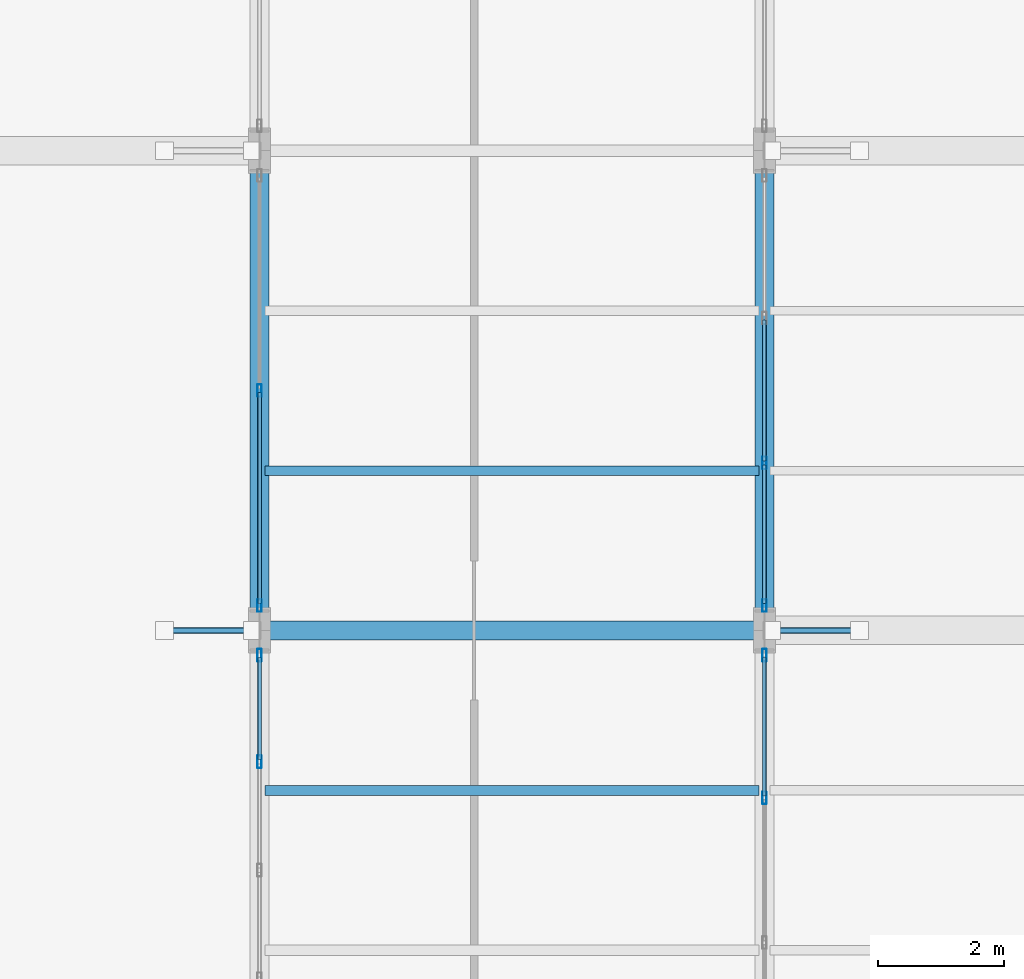
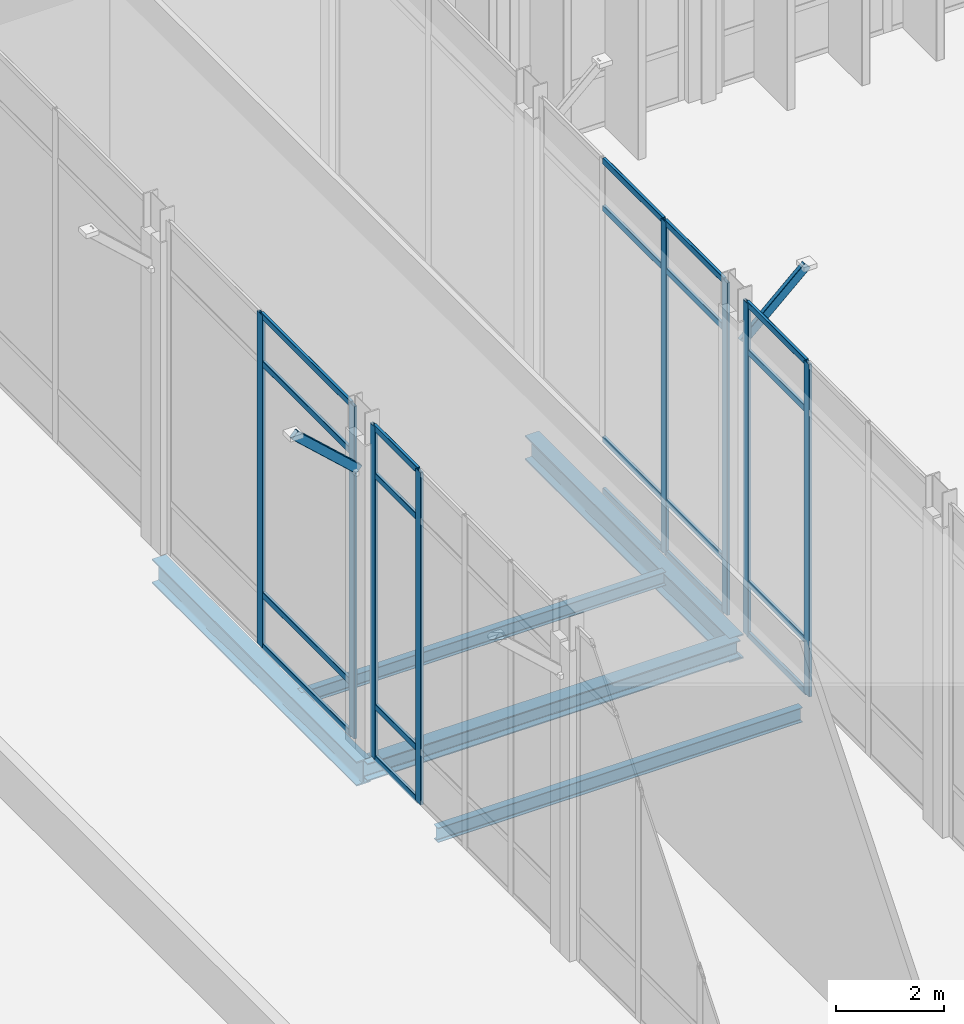
# One storey, part 45 of 176: 30 members, 5 beams, 4 elements without a shape of their own.
"""IFC4 building model written with IfcOpenShell, lengths in metres."""

from ifc_helpers import new_model, si_unit, direction, frame, origin, origin_2d, place, context, subcontext, project, spatial, hollow_rectangle, i_section, extrude, material, layer, layer_set, material_profile, profile_set, type_object, element, aggregate, save


model = new_model("IFC4")

# Units and contexts
model_context = context("Model", 3, precision=1e-05, world=origin(), true_north=direction((0.0, 1.0)))
body_context = subcontext(model_context, "Body", "Model", "MODEL_VIEW")
ifc_project = project(units=[si_unit("LENGTHUNIT", "METRE"), si_unit("AREAUNIT", "SQUARE_METRE"), si_unit("VOLUMEUNIT", "CUBIC_METRE"), si_unit("PLANEANGLEUNIT", "RADIAN"), si_unit("MASSUNIT", "GRAM", prefix="KILO")], contexts=[model_context])

# Site, building, storey
site_placement = place(None, origin())
site = spatial("IfcSite", under=ifc_project, at=site_placement, CompositionType="ELEMENT")
building_placement = place(site_placement, origin())
building = spatial("IfcBuilding", under=site, at=building_placement, Name="Vekula Escarpment Museum", CompositionType="ELEMENT")
storey_placement = place(building_placement, origin())
storey = spatial("IfcBuildingStorey", under=building, at=storey_placement, Name="L01", CompositionType="ELEMENT", Elevation=0.0)

# Beams
ifc_material_1 = material(Name="Steel S355", Category="steel")
ifc_material_profile_1 = material_profile(ifc_material_1, i_section(OverallWidth=0.300048828125, OverallDepth=0.39990234375, WebThickness=0.013427734375, FlangeThickness=0.02392578125, FilletRadius=0.027099609375, at=origin_2d()), Name="HEB 400")
ifc_profile_set_1 = profile_set([ifc_material_profile_1], Name="Steel S355")
beam_type_1 = type_object("IfcBeamType", Name="BM-GIRD-HEB400", PredefinedType="BEAM", material=ifc_profile_set_1)
beam_1_placement = place(storey_placement, frame((94.0, 30.39990234375, -0.5), z_axis=(1.0, 0.0, 0.0), x_axis=(0.0, 1.0, 0.0)))
element("IfcBeam", 1, at=beam_1_placement, inside=storey, type_object=beam_type_1, Name="Beam X L01 0090", PredefinedType="BEAM", context=body_context, shape_type="SweptSolid", body=[
    extrude(i_section(OverallWidth=0.300048828125, OverallDepth=0.39990234375, WebThickness=0.013427734375, FlangeThickness=0.02392578125, FilletRadius=0.027099609375, at=origin_2d()), origin(), (0.0, 0.0, 1.0), 8.0),
])
ifc_material_2 = material(Name="Steel S355", Category="steel")
ifc_material_profile_2 = material_profile(ifc_material_2, i_section(OverallWidth=0.300048828125, OverallDepth=0.550048828125, WebThickness=0.014892578125, FlangeThickness=0.029052734375, FilletRadius=0.027099609375, at=origin_2d()), Name="HEB 550")
ifc_profile_set_2 = profile_set([ifc_material_profile_2], Name="Steel S355")
beam_type_2 = type_object("IfcBeamType", Name="BM-GIRD-HEB550", PredefinedType="BEAM", material=ifc_profile_set_2)
for number, where, z_axis, x_axis, name in (
    (2, (94.0, 30.39990234375, -0.574951171875), (0.0, 1.0, 0.0), (-1.0, 0.0, 0.0), "Beam Y L01 0580"),
    (3, (102.0, 30.39990234375, -0.574951171875), (0.0, 1.0, 0.0), (-1.0, 0.0, 0.0), "Beam Y L01 0598"),
):
    element("IfcBeam", number, at=place(storey_placement, frame(where, z_axis=z_axis, x_axis=x_axis)), inside=storey, type_object=beam_type_2, Name=name, PredefinedType="BEAM", context=body_context, shape_type="SweptSolid", body=[
        extrude(i_section(OverallWidth=0.300048828125, OverallDepth=0.550048828125, WebThickness=0.014892578125, FlangeThickness=0.029052734375, FilletRadius=0.027099609375, at=origin_2d()), origin(), (0.0, 0.0, 1.0), 7.60009765625),
    ])
ifc_material_3 = material(Name="Steel S355", Category="steel")
ifc_material_profile_3 = material_profile(ifc_material_3, i_section(OverallWidth=0.14990234375, OverallDepth=0.300048828125, WebThickness=0.007080078125, FlangeThickness=0.0107421875, FilletRadius=0.014892578125, at=origin_2d()), Name="IPE 300")
ifc_profile_set_3 = profile_set([ifc_material_profile_3], Name="Steel S355")
beam_type_3 = type_object("IfcBeamType", Name="BM-JST-IPE300", PredefinedType="JOIST", material=ifc_profile_set_3)
beam_2_placement = place(storey_placement, frame((94.090087890625, 32.933349609375, -0.449951171875), z_axis=(1.0, 0.0, 0.0), x_axis=(0.0, 1.0, 0.0)))
element("IfcBeam", 4, at=beam_2_placement, inside=storey, type_object=beam_type_3, Name="Secondary Joist L01 0296", PredefinedType="JOIST", context=body_context, shape_type="SweptSolid", body=[
    extrude(i_section(OverallWidth=0.14990234375, OverallDepth=0.300048828125, WebThickness=0.007080078125, FlangeThickness=0.0107421875, FilletRadius=0.014892578125, at=origin_2d()), origin(), (0.0, 0.0, 1.0), 7.81982421875),
])
ifc_material_4 = material(Name="Steel S355", Category="steel")
ifc_material_profile_4 = material_profile(ifc_material_4, i_section(OverallWidth=0.159912109375, OverallDepth=0.330078125, WebThickness=0.007568359375, FlangeThickness=0.011474609375, FilletRadius=0.01806640625, at=origin_2d()), Name="IPE 330")
ifc_profile_set_4 = profile_set([ifc_material_profile_4], Name="Steel S355")
beam_type_4 = type_object("IfcBeamType", Name="BM-JST-IPE330", PredefinedType="JOIST", material=ifc_profile_set_4)
beam_3_placement = place(storey_placement, frame((94.090087890625, 27.86669921875, -0.465087890625), z_axis=(1.0, 0.0, 0.0), x_axis=(0.0, 1.0, 0.0)))
element("IfcBeam", 5, at=beam_3_placement, inside=storey, type_object=beam_type_4, Name="Secondary Joist L01 0295", PredefinedType="JOIST", context=body_context, shape_type="SweptSolid", body=[
    extrude(i_section(OverallWidth=0.159912109375, OverallDepth=0.330078125, WebThickness=0.007568359375, FlangeThickness=0.011474609375, FilletRadius=0.01806640625, at=origin_2d()), origin(), (0.0, 0.0, 1.0), 7.81982421875),
])

# Curtain wall, members
ifc_material_5 = material(Name="Aluminium thermally broken framing", Category="aluminium")
ifc_layer_1 = layer(ifc_material_5, 0.199951171875)
ifc_layer_set_1 = layer_set([ifc_layer_1], Name="Aluminium thermally broken framing")
curtain_wall_type_1 = type_object("IfcCurtainWallType", Name="CW-SYS-04", PredefinedType="NOTDEFINED", material=ifc_layer_set_1)
curtain_wall_1_placement = place(storey_placement, origin())
curtain_wall_1 = element("IfcCurtainWall", 6, at=curtain_wall_1_placement, inside=storey, type_object=curtain_wall_type_1, Name="Curtain Wall CW-L01-004", PredefinedType="NOTDEFINED")
ifc_material_6 = material(Name="Aluminium anodized mullion", Category="aluminium")
ifc_material_profile_5 = material_profile(ifc_material_6, hollow_rectangle(XDim=0.06494140625, YDim=0.199951171875, WallThickness=0.00390625, InnerFilletRadius=0.00390625, OuterFilletRadius=0.008056640625, at=origin_2d()), Name="ALU 200x65x4")
ifc_profile_set_5 = profile_set([ifc_material_profile_5], Name="Aluminium anodized mullion")
member_type_1 = type_object("IfcMemberType", Name="CW-MUL-200", PredefinedType="MULLION", material=ifc_profile_set_5)
member_1_placement = place(storey_placement, frame((102.0, 27.74658203125, 0.0), z_axis=(0.0, 0.0, 1.0), x_axis=(-1.0, 0.0, 0.0)))
member_1 = element("IfcMember", 7, at=member_1_placement, type_object=member_type_1, Name="CW-04 mullion 3", PredefinedType="MULLION", context=body_context, shape_type="SweptSolid", body=[
    extrude(hollow_rectangle(XDim=0.06494140625, YDim=0.199951171875, WallThickness=0.00390625, InnerFilletRadius=0.00390625, OuterFilletRadius=0.008056640625, at=origin_2d()), origin(), (0.0, 0.0, 1.0), 7.5400390625),
])
member_2_placement = place(storey_placement, frame((102.0, 30.007568359375, 0.0), z_axis=(0.0, 0.0, 1.0), x_axis=(-1.0, 0.0, 0.0)))
member_2 = element("IfcMember", 8, at=member_2_placement, type_object=member_type_1, Name="CW-04 mullion 4", PredefinedType="MULLION", context=body_context, shape_type="SweptSolid", body=[
    extrude(hollow_rectangle(XDim=0.06494140625, YDim=0.199951171875, WallThickness=0.00390625, InnerFilletRadius=0.00390625, OuterFilletRadius=0.008056640625, at=origin_2d()), origin(), (0.0, 0.0, 1.0), 7.5400390625),
])

ifc_material_7 = material(Name="Aluminium thermally broken framing", Category="aluminium")
ifc_layer_2 = layer(ifc_material_7, 0.159912109375)
ifc_layer_set_2 = layer_set([ifc_layer_2], Name="Aluminium thermally broken framing")
curtain_wall_type_2 = type_object("IfcCurtainWallType", Name="CW-SYS-05", PredefinedType="NOTDEFINED", material=ifc_layer_set_2)
curtain_wall_2_placement = place(storey_placement, origin())
curtain_wall_2 = element("IfcCurtainWall", 9, at=curtain_wall_2_placement, inside=storey, type_object=curtain_wall_type_2, Name="Curtain Wall CW-L01-005", PredefinedType="NOTDEFINED")
member_3_placement = place(storey_placement, frame((102.0, 30.79248046875, 0.0), z_axis=(0.0, 0.0, 1.0), x_axis=(-1.0, 0.0, 0.0)))
member_3 = element("IfcMember", 10, at=member_3_placement, type_object=member_type_1, Name="CW-05 mullion 1", PredefinedType="MULLION", context=body_context, shape_type="SweptSolid", body=[
    extrude(hollow_rectangle(XDim=0.06494140625, YDim=0.199951171875, WallThickness=0.00390625, InnerFilletRadius=0.00390625, OuterFilletRadius=0.008056640625, at=origin_2d()), origin(), (0.0, 0.0, 1.0), 7.5400390625),
])
member_4_placement = place(storey_placement, frame((102.0, 33.05322265625, 0.0), z_axis=(0.0, 0.0, 1.0), x_axis=(-1.0, 0.0, 0.0)))
member_4 = element("IfcMember", 11, at=member_4_placement, type_object=member_type_1, Name="CW-05 mullion 2", PredefinedType="MULLION", context=body_context, shape_type="SweptSolid", body=[
    extrude(hollow_rectangle(XDim=0.06494140625, YDim=0.199951171875, WallThickness=0.00390625, InnerFilletRadius=0.00390625, OuterFilletRadius=0.008056640625, at=origin_2d()), origin(), (0.0, 0.0, 1.0), 7.5400390625),
])

ifc_material_8 = material(Name="Aluminium thermally broken framing", Category="aluminium")
ifc_layer_3 = layer(ifc_material_8, 0.179931640625)
ifc_layer_set_3 = layer_set([ifc_layer_3], Name="Aluminium thermally broken framing")
curtain_wall_type_3 = type_object("IfcCurtainWallType", Name="CW-SYS-08", PredefinedType="NOTDEFINED", material=ifc_layer_set_3)
curtain_wall_3_placement = place(storey_placement, origin())
curtain_wall_3 = element("IfcCurtainWall", 12, at=curtain_wall_3_placement, inside=storey, type_object=curtain_wall_type_3, Name="Curtain Wall CW-L01-048", PredefinedType="NOTDEFINED")
member_5_placement = place(storey_placement, frame((94.0, 34.199951171875, 0.0), z_axis=(0.0, 0.0, 1.0), x_axis=(1.0, 0.0, 0.0)))
member_5 = element("IfcMember", 13, at=member_5_placement, type_object=member_type_1, Name="CW-08 mullion 2", PredefinedType="MULLION", context=body_context, shape_type="SweptSolid", body=[
    extrude(hollow_rectangle(XDim=0.06494140625, YDim=0.199951171875, WallThickness=0.00390625, InnerFilletRadius=0.00390625, OuterFilletRadius=0.008056640625, at=origin_2d()), origin(), (0.0, 0.0, 1.0), 7.5400390625),
])
member_6_placement = place(storey_placement, frame((94.0, 30.79248046875, 0.0), z_axis=(0.0, 0.0, 1.0), x_axis=(1.0, 0.0, 0.0)))
member_6 = element("IfcMember", 14, at=member_6_placement, type_object=member_type_1, Name="CW-08 mullion 3", PredefinedType="MULLION", context=body_context, shape_type="SweptSolid", body=[
    extrude(hollow_rectangle(XDim=0.06494140625, YDim=0.199951171875, WallThickness=0.00390625, InnerFilletRadius=0.00390625, OuterFilletRadius=0.008056640625, at=origin_2d()), origin(), (0.0, 0.0, 1.0), 7.5400390625),
])

ifc_material_9 = material(Name="Aluminium thermally broken framing", Category="aluminium")
ifc_layer_4 = layer(ifc_material_9, 0.14990234375)
ifc_layer_set_4 = layer_set([ifc_layer_4], Name="Aluminium thermally broken framing")
curtain_wall_type_4 = type_object("IfcCurtainWallType", Name="CW-SYS-09", PredefinedType="NOTDEFINED", material=ifc_layer_set_4)
curtain_wall_4_placement = place(storey_placement, origin())
curtain_wall_4 = element("IfcCurtainWall", 15, at=curtain_wall_4_placement, inside=storey, type_object=curtain_wall_type_4, Name="Curtain Wall CW-L01-049", PredefinedType="NOTDEFINED")
member_7_placement = place(storey_placement, frame((94.0, 30.007568359375, 0.0), z_axis=(0.0, 0.0, 1.0), x_axis=(1.0, 0.0, 0.0)))
member_7 = element("IfcMember", 16, at=member_7_placement, type_object=member_type_1, Name="CW-09 mullion 1", PredefinedType="MULLION", context=body_context, shape_type="SweptSolid", body=[
    extrude(hollow_rectangle(XDim=0.06494140625, YDim=0.199951171875, WallThickness=0.00390625, InnerFilletRadius=0.00390625, OuterFilletRadius=0.008056640625, at=origin_2d()), origin(), (0.0, 0.0, 1.0), 7.5400390625),
])
member_8_placement = place(storey_placement, frame((94.0, 28.320068359375, 0.0), z_axis=(0.0, 0.0, 1.0), x_axis=(1.0, 0.0, 0.0)))
member_8 = element("IfcMember", 17, at=member_8_placement, type_object=member_type_1, Name="CW-09 mullion 2", PredefinedType="MULLION", context=body_context, shape_type="SweptSolid", body=[
    extrude(hollow_rectangle(XDim=0.06494140625, YDim=0.199951171875, WallThickness=0.00390625, InnerFilletRadius=0.00390625, OuterFilletRadius=0.008056640625, at=origin_2d()), origin(), (0.0, 0.0, 1.0), 7.5400390625),
])

# Member
ifc_material_10 = material(Name="Aluminium anodized transom", Category="aluminium")
ifc_material_profile_6 = material_profile(ifc_material_10, hollow_rectangle(XDim=0.06494140625, YDim=0.139892578125, WallThickness=0.00390625, InnerFilletRadius=0.00390625, OuterFilletRadius=0.008056640625, at=origin_2d()), Name="ALU 140x65x4")
ifc_profile_set_6 = profile_set([ifc_material_profile_6], Name="Aluminium anodized transom")
member_type_2 = type_object("IfcMemberType", Name="CW-TRN-140", PredefinedType="USERDEFINED", material=ifc_profile_set_6)
member_9_placement = place(storey_placement, frame((102.0, 27.779052734375, 0.032470703125), z_axis=(0.0, 1.0, 0.0), x_axis=(-1.0, 0.0, 0.0)))
member_9 = element("IfcMember", 18, at=member_9_placement, type_object=member_type_2, Name="CW-04 transom 3.1", ObjectType="TRANSOM", PredefinedType="USERDEFINED", context=body_context, shape_type="SweptSolid", body=[
    extrude(hollow_rectangle(XDim=0.06494140625, YDim=0.139892578125, WallThickness=0.00390625, InnerFilletRadius=0.00390625, OuterFilletRadius=0.008056640625, at=origin_2d()), origin(), (0.0, 0.0, 1.0), 2.196044921875),
])

member_10_placement = place(storey_placement, frame((102.0, 27.779052734375, 1.199951171875), z_axis=(0.0, 1.0, 0.0), x_axis=(-1.0, 0.0, 0.0)))
member_10 = element("IfcMember", 19, at=member_10_placement, type_object=member_type_2, Name="CW-04 transom 3.2", ObjectType="TRANSOM", PredefinedType="USERDEFINED", context=body_context, shape_type="SweptSolid", body=[
    extrude(hollow_rectangle(XDim=0.06494140625, YDim=0.139892578125, WallThickness=0.00390625, InnerFilletRadius=0.00390625, OuterFilletRadius=0.008056640625, at=origin_2d()), origin(), (0.0, 0.0, 1.0), 2.196044921875),
])

member_11_placement = place(storey_placement, frame((102.0, 27.779052734375, 6.43994140625), z_axis=(0.0, 1.0, 0.0), x_axis=(-1.0, 0.0, 0.0)))
member_11 = element("IfcMember", 20, at=member_11_placement, type_object=member_type_2, Name="CW-04 transom 3.3", ObjectType="TRANSOM", PredefinedType="USERDEFINED", context=body_context, shape_type="SweptSolid", body=[
    extrude(hollow_rectangle(XDim=0.06494140625, YDim=0.139892578125, WallThickness=0.00390625, InnerFilletRadius=0.00390625, OuterFilletRadius=0.008056640625, at=origin_2d()), origin(), (0.0, 0.0, 1.0), 2.196044921875),
])

member_12_placement = place(storey_placement, frame((102.0, 27.779052734375, 7.507568359375), z_axis=(0.0, 1.0, 0.0), x_axis=(-1.0, 0.0, 0.0)))
member_12 = element("IfcMember", 21, at=member_12_placement, type_object=member_type_2, Name="CW-04 transom 3.4", ObjectType="TRANSOM", PredefinedType="USERDEFINED", context=body_context, shape_type="SweptSolid", body=[
    extrude(hollow_rectangle(XDim=0.06494140625, YDim=0.139892578125, WallThickness=0.00390625, InnerFilletRadius=0.00390625, OuterFilletRadius=0.008056640625, at=origin_2d()), origin(), (0.0, 0.0, 1.0), 2.196044921875),
])

aggregate(curtain_wall_1, [member_1, member_2, member_9, member_10, member_11, member_12])

member_13_placement = place(storey_placement, frame((102.0, 30.824951171875, 0.032470703125), z_axis=(0.0, 1.0, 0.0), x_axis=(-1.0, 0.0, 0.0)))
member_13 = element("IfcMember", 22, at=member_13_placement, type_object=member_type_2, Name="CW-05 transom 1.1", ObjectType="TRANSOM", PredefinedType="USERDEFINED", context=body_context, shape_type="SweptSolid", body=[
    extrude(hollow_rectangle(XDim=0.06494140625, YDim=0.139892578125, WallThickness=0.00390625, InnerFilletRadius=0.00390625, OuterFilletRadius=0.008056640625, at=origin_2d()), origin(), (0.0, 0.0, 1.0), 2.19580078125),
])

member_14_placement = place(storey_placement, frame((102.0, 30.824951171875, 1.199951171875), z_axis=(0.0, 1.0, 0.0), x_axis=(-1.0, 0.0, 0.0)))
member_14 = element("IfcMember", 23, at=member_14_placement, type_object=member_type_2, Name="CW-05 transom 1.2", ObjectType="TRANSOM", PredefinedType="USERDEFINED", context=body_context, shape_type="SweptSolid", body=[
    extrude(hollow_rectangle(XDim=0.06494140625, YDim=0.139892578125, WallThickness=0.00390625, InnerFilletRadius=0.00390625, OuterFilletRadius=0.008056640625, at=origin_2d()), origin(), (0.0, 0.0, 1.0), 2.19580078125),
])

member_15_placement = place(storey_placement, frame((102.0, 30.824951171875, 6.43994140625), z_axis=(0.0, 1.0, 0.0), x_axis=(-1.0, 0.0, 0.0)))
member_15 = element("IfcMember", 24, at=member_15_placement, type_object=member_type_2, Name="CW-05 transom 1.3", ObjectType="TRANSOM", PredefinedType="USERDEFINED", context=body_context, shape_type="SweptSolid", body=[
    extrude(hollow_rectangle(XDim=0.06494140625, YDim=0.139892578125, WallThickness=0.00390625, InnerFilletRadius=0.00390625, OuterFilletRadius=0.008056640625, at=origin_2d()), origin(), (0.0, 0.0, 1.0), 2.19580078125),
])

member_16_placement = place(storey_placement, frame((102.0, 30.824951171875, 7.507568359375), z_axis=(0.0, 1.0, 0.0), x_axis=(-1.0, 0.0, 0.0)))
member_16 = element("IfcMember", 25, at=member_16_placement, type_object=member_type_2, Name="CW-05 transom 1.4", ObjectType="TRANSOM", PredefinedType="USERDEFINED", context=body_context, shape_type="SweptSolid", body=[
    extrude(hollow_rectangle(XDim=0.06494140625, YDim=0.139892578125, WallThickness=0.00390625, InnerFilletRadius=0.00390625, OuterFilletRadius=0.008056640625, at=origin_2d()), origin(), (0.0, 0.0, 1.0), 2.19580078125),
])

member_17_placement = place(storey_placement, frame((102.0, 33.0859375, 0.032470703125), z_axis=(0.0, 1.0, 0.0), x_axis=(-1.0, 0.0, 0.0)))
member_17 = element("IfcMember", 26, at=member_17_placement, type_object=member_type_2, Name="CW-05 transom 2.1", ObjectType="TRANSOM", PredefinedType="USERDEFINED", context=body_context, shape_type="SweptSolid", body=[
    extrude(hollow_rectangle(XDim=0.06494140625, YDim=0.139892578125, WallThickness=0.00390625, InnerFilletRadius=0.00390625, OuterFilletRadius=0.008056640625, at=origin_2d()), origin(), (0.0, 0.0, 1.0), 2.228271484375),
])

member_18_placement = place(storey_placement, frame((102.0, 33.0859375, 1.199951171875), z_axis=(0.0, 1.0, 0.0), x_axis=(-1.0, 0.0, 0.0)))
member_18 = element("IfcMember", 27, at=member_18_placement, type_object=member_type_2, Name="CW-05 transom 2.2", ObjectType="TRANSOM", PredefinedType="USERDEFINED", context=body_context, shape_type="SweptSolid", body=[
    extrude(hollow_rectangle(XDim=0.06494140625, YDim=0.139892578125, WallThickness=0.00390625, InnerFilletRadius=0.00390625, OuterFilletRadius=0.008056640625, at=origin_2d()), origin(), (0.0, 0.0, 1.0), 2.228271484375),
])

member_19_placement = place(storey_placement, frame((102.0, 33.0859375, 6.43994140625), z_axis=(0.0, 1.0, 0.0), x_axis=(-1.0, 0.0, 0.0)))
member_19 = element("IfcMember", 28, at=member_19_placement, type_object=member_type_2, Name="CW-05 transom 2.3", ObjectType="TRANSOM", PredefinedType="USERDEFINED", context=body_context, shape_type="SweptSolid", body=[
    extrude(hollow_rectangle(XDim=0.06494140625, YDim=0.139892578125, WallThickness=0.00390625, InnerFilletRadius=0.00390625, OuterFilletRadius=0.008056640625, at=origin_2d()), origin(), (0.0, 0.0, 1.0), 2.228271484375),
])

member_20_placement = place(storey_placement, frame((102.0, 33.0859375, 7.507568359375), z_axis=(0.0, 1.0, 0.0), x_axis=(-1.0, 0.0, 0.0)))
member_20 = element("IfcMember", 29, at=member_20_placement, type_object=member_type_2, Name="CW-05 transom 2.4", ObjectType="TRANSOM", PredefinedType="USERDEFINED", context=body_context, shape_type="SweptSolid", body=[
    extrude(hollow_rectangle(XDim=0.06494140625, YDim=0.139892578125, WallThickness=0.00390625, InnerFilletRadius=0.00390625, OuterFilletRadius=0.008056640625, at=origin_2d()), origin(), (0.0, 0.0, 1.0), 2.228271484375),
])

aggregate(curtain_wall_2, [member_3, member_4, member_13, member_14, member_15, member_16, member_17, member_18, member_19, member_20])

member_21_placement = place(storey_placement, frame((94.0, 34.16748046875, 0.032470703125), z_axis=(0.0, -1.0, 0.0), x_axis=(1.0, 0.0, 0.0)))
member_21 = element("IfcMember", 30, at=member_21_placement, type_object=member_type_2, Name="CW-08 transom 2.1", ObjectType="TRANSOM", PredefinedType="USERDEFINED", context=body_context, shape_type="SweptSolid", body=[
    extrude(hollow_rectangle(XDim=0.06494140625, YDim=0.139892578125, WallThickness=0.00390625, InnerFilletRadius=0.00390625, OuterFilletRadius=0.008056640625, at=origin_2d()), origin(), (0.0, 0.0, 1.0), 3.342529296875),
])

member_22_placement = place(storey_placement, frame((94.0, 34.16748046875, 1.199951171875), z_axis=(0.0, -1.0, 0.0), x_axis=(1.0, 0.0, 0.0)))
member_22 = element("IfcMember", 31, at=member_22_placement, type_object=member_type_2, Name="CW-08 transom 2.2", ObjectType="TRANSOM", PredefinedType="USERDEFINED", context=body_context, shape_type="SweptSolid", body=[
    extrude(hollow_rectangle(XDim=0.06494140625, YDim=0.139892578125, WallThickness=0.00390625, InnerFilletRadius=0.00390625, OuterFilletRadius=0.008056640625, at=origin_2d()), origin(), (0.0, 0.0, 1.0), 3.342529296875),
])

member_23_placement = place(storey_placement, frame((94.0, 34.16748046875, 6.43994140625), z_axis=(0.0, -1.0, 0.0), x_axis=(1.0, 0.0, 0.0)))
member_23 = element("IfcMember", 32, at=member_23_placement, type_object=member_type_2, Name="CW-08 transom 2.3", ObjectType="TRANSOM", PredefinedType="USERDEFINED", context=body_context, shape_type="SweptSolid", body=[
    extrude(hollow_rectangle(XDim=0.06494140625, YDim=0.139892578125, WallThickness=0.00390625, InnerFilletRadius=0.00390625, OuterFilletRadius=0.008056640625, at=origin_2d()), origin(), (0.0, 0.0, 1.0), 3.342529296875),
])

member_24_placement = place(storey_placement, frame((94.0, 34.16748046875, 7.507568359375), z_axis=(0.0, -1.0, 0.0), x_axis=(1.0, 0.0, 0.0)))
member_24 = element("IfcMember", 33, at=member_24_placement, type_object=member_type_2, Name="CW-08 transom 2.4", ObjectType="TRANSOM", PredefinedType="USERDEFINED", context=body_context, shape_type="SweptSolid", body=[
    extrude(hollow_rectangle(XDim=0.06494140625, YDim=0.139892578125, WallThickness=0.00390625, InnerFilletRadius=0.00390625, OuterFilletRadius=0.008056640625, at=origin_2d()), origin(), (0.0, 0.0, 1.0), 3.342529296875),
])

aggregate(curtain_wall_3, [member_5, member_6, member_21, member_22, member_23, member_24])

member_25_placement = place(storey_placement, frame((94.0, 29.97509765625, 0.032470703125), z_axis=(0.0, -1.0, 0.0), x_axis=(1.0, 0.0, 0.0)))
member_25 = element("IfcMember", 34, at=member_25_placement, type_object=member_type_2, Name="CW-09 transom 1.1", ObjectType="TRANSOM", PredefinedType="USERDEFINED", context=body_context, shape_type="SweptSolid", body=[
    extrude(hollow_rectangle(XDim=0.06494140625, YDim=0.139892578125, WallThickness=0.00390625, InnerFilletRadius=0.00390625, OuterFilletRadius=0.008056640625, at=origin_2d()), origin(), (0.0, 0.0, 1.0), 1.62255859375),
])

member_26_placement = place(storey_placement, frame((94.0, 29.97509765625, 1.199951171875), z_axis=(0.0, -1.0, 0.0), x_axis=(1.0, 0.0, 0.0)))
member_26 = element("IfcMember", 35, at=member_26_placement, type_object=member_type_2, Name="CW-09 transom 1.2", ObjectType="TRANSOM", PredefinedType="USERDEFINED", context=body_context, shape_type="SweptSolid", body=[
    extrude(hollow_rectangle(XDim=0.06494140625, YDim=0.139892578125, WallThickness=0.00390625, InnerFilletRadius=0.00390625, OuterFilletRadius=0.008056640625, at=origin_2d()), origin(), (0.0, 0.0, 1.0), 1.62255859375),
])

member_27_placement = place(storey_placement, frame((94.0, 29.97509765625, 6.43994140625), z_axis=(0.0, -1.0, 0.0), x_axis=(1.0, 0.0, 0.0)))
member_27 = element("IfcMember", 36, at=member_27_placement, type_object=member_type_2, Name="CW-09 transom 1.3", ObjectType="TRANSOM", PredefinedType="USERDEFINED", context=body_context, shape_type="SweptSolid", body=[
    extrude(hollow_rectangle(XDim=0.06494140625, YDim=0.139892578125, WallThickness=0.00390625, InnerFilletRadius=0.00390625, OuterFilletRadius=0.008056640625, at=origin_2d()), origin(), (0.0, 0.0, 1.0), 1.62255859375),
])

member_28_placement = place(storey_placement, frame((94.0, 29.97509765625, 7.507568359375), z_axis=(0.0, -1.0, 0.0), x_axis=(1.0, 0.0, 0.0)))
member_28 = element("IfcMember", 37, at=member_28_placement, type_object=member_type_2, Name="CW-09 transom 1.4", ObjectType="TRANSOM", PredefinedType="USERDEFINED", context=body_context, shape_type="SweptSolid", body=[
    extrude(hollow_rectangle(XDim=0.06494140625, YDim=0.139892578125, WallThickness=0.00390625, InnerFilletRadius=0.00390625, OuterFilletRadius=0.008056640625, at=origin_2d()), origin(), (0.0, 0.0, 1.0), 1.62255859375),
])

aggregate(curtain_wall_4, [member_7, member_8, member_25, member_26, member_27, member_28])

# Members
ifc_material_11 = material(Name="Steel S355", Category="steel")
ifc_material_profile_7 = material_profile(ifc_material_11, hollow_rectangle(XDim=0.10009765625, YDim=0.199951171875, WallThickness=0.008056640625, InnerFilletRadius=0.008056640625, OuterFilletRadius=0.01611328125, at=origin_2d()), Name="RHS 200x100x8")
ifc_profile_set_7 = profile_set([ifc_material_profile_7], Name="Steel S355")
member_type_3 = type_object("IfcMemberType", Name="MB-SACAK-BRK", PredefinedType="STRUT", material=ifc_profile_set_7)
for number, where, z_axis, x_axis, name in (
    (38, (93.8798828125, 30.39990234375, 6.35009765625), (-0.738454378718, 0.0, 0.674303441006), (0.0, -1.0, 0.0), "Ottoman Sacak Eave Bracket L02-0014"),
    (39, (102.1201171875, 30.39990234375, 6.35009765625), (0.738454378718, 0.0, 0.674303441006), (0.0, 1.0, 0.0), "Ottoman Sacak Eave Bracket L02-0017"),
):
    element("IfcMember", number, at=place(storey_placement, frame(where, z_axis=z_axis, x_axis=x_axis)), inside=storey, type_object=member_type_3, Name=name, PredefinedType="STRUT", context=body_context, shape_type="SweptSolid", body=[
        extrude(hollow_rectangle(XDim=0.10009765625, YDim=0.199951171875, WallThickness=0.008056640625, InnerFilletRadius=0.008056640625, OuterFilletRadius=0.01611328125, at=origin_2d()), origin(), (0.0, 0.0, 1.0), 1.86865234375),
    ])

save(model, "model.ifc")
